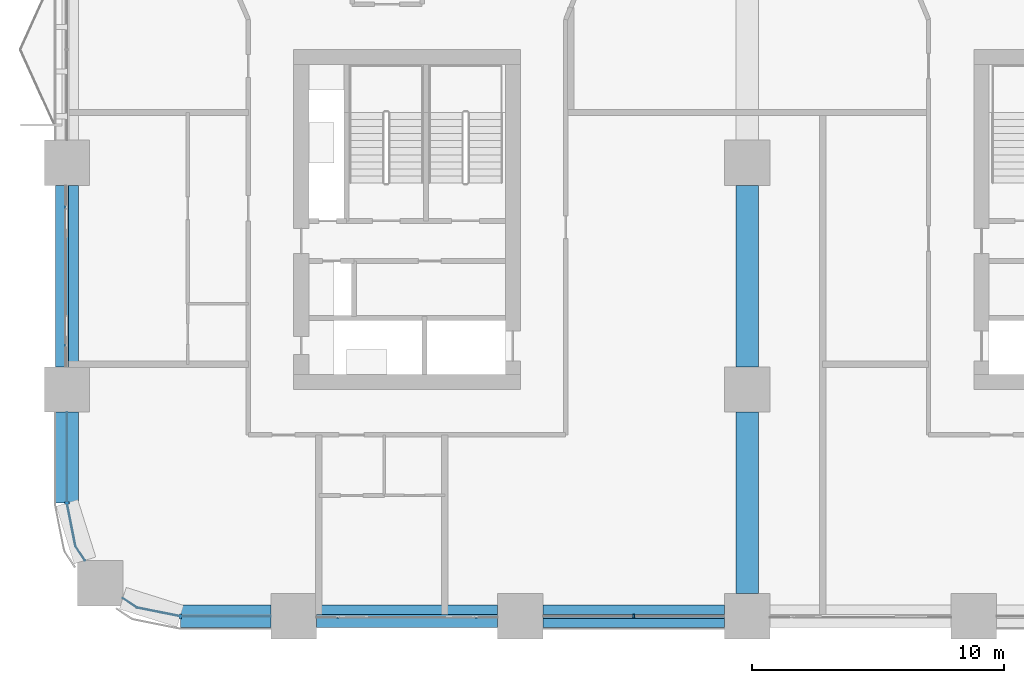
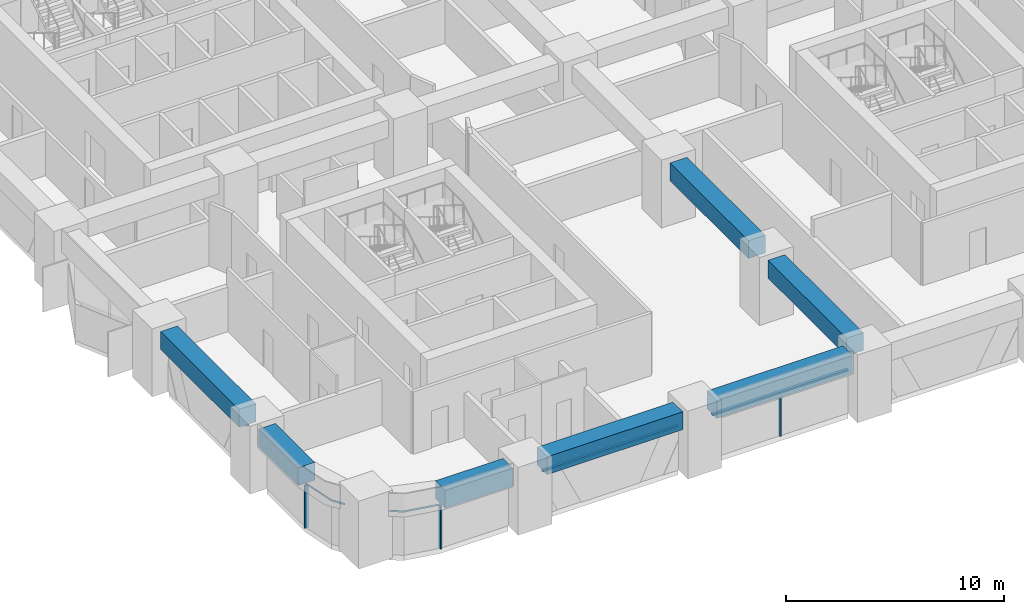
# One storey, part 2 of 21: 8 members, 7 beams, 5 elements without a shape of their own.
"""IFC4 building model written with IfcOpenShell, lengths in metres."""

from ifc_helpers import new_model, si_unit, direction, frame, origin, origin_2d, place, context, subcontext, project, spatial, polyline, rectangle, outline, extrude, material, material_profile, profile_set, type_object, element, aggregate, save


model = new_model("IFC4")

# Units and contexts
model_context = context("Model", 3, precision=1e-05, world=origin(), true_north=direction((0.0, 1.0)))
body_context = subcontext(model_context, "Body", "Model", "MODEL_VIEW")
ifc_project = project(units=[si_unit("LENGTHUNIT", "METRE"), si_unit("AREAUNIT", "SQUARE_METRE"), si_unit("VOLUMEUNIT", "CUBIC_METRE"), si_unit("PLANEANGLEUNIT", "RADIAN"), si_unit("MASSUNIT", "GRAM", prefix="KILO")], contexts=[model_context])

# Site, building, storey
site_placement = place(None, origin())
site = spatial("IfcSite", under=ifc_project, at=site_placement, CompositionType="ELEMENT")
building_placement = place(site_placement, origin())
building = spatial("IfcBuilding", under=site, at=building_placement, Name="Tessera Arch", CompositionType="ELEMENT")
storey_placement = place(building_placement, frame((0.0, 0.0, 42.39990234375)))
storey = spatial("IfcBuildingStorey", under=building, at=storey_placement, Name="L08", CompositionType="ELEMENT", Elevation=42.39990234375)

# Curtain wall, members
ifc_material_1 = material(Name="CW1 curtain wall")
curtain_wall_type_1 = type_object("IfcCurtainWallType", Name="CW1 curtain wall", PredefinedType="NOTDEFINED", material=ifc_material_1)
curtain_wall_1_placement = place(storey_placement, origin())
curtain_wall_1 = element("IfcCurtainWall", 1, at=curtain_wall_1_placement, inside=storey, type_object=curtain_wall_type_1, Name="CW1 curtain wall S0.0/1 L08", PredefinedType="NOTDEFINED")
ifc_material_2 = material(Name="Anodised aluminium pale metal", Category="aluminium")
ifc_material_profile_1 = material_profile(ifc_material_2, rectangle(XDim=0.159912109375, YDim=0.06005859375, at=origin_2d()), Name="AL 60x160")
ifc_profile_set_1 = profile_set([ifc_material_profile_1], Name="Anodised aluminium pale metal")
member_type_1 = type_object("IfcMemberType", Name="CW1 mullion", PredefinedType="MULLION", material=ifc_profile_set_1)
member_1_placement = place(storey_placement, frame((22.5, 0.0, 0.0), z_axis=(0.0, 0.0, 1.0), x_axis=(0.0, 1.0, 0.0)))
member_1 = element("IfcMember", 2, at=member_1_placement, type_object=member_type_1, Name="CW1 mullion S0.0/1 1", PredefinedType="MULLION", context=body_context, shape_type="SweptSolid", body=[
    extrude(rectangle(XDim=0.159912109375, YDim=0.06005859375, at=origin_2d()), origin(), (0.0, 0.0, 1.0), 2.400146484375),
])
ifc_material_3 = material(Name="Anodised aluminium pale metal", Category="aluminium")
ifc_material_profile_2 = material_profile(ifc_material_3, rectangle(XDim=0.159912109375, YDim=0.10009765625, at=origin_2d()), Name="AL 160x100")
ifc_profile_set_2 = profile_set([ifc_material_profile_2], Name="Anodised aluminium pale metal")
member_type_2 = type_object("IfcMemberType", Name="CW1 transom", PredefinedType="USERDEFINED", material=ifc_profile_set_2)
member_2_placement = place(storey_placement, frame((18.89990234375, 0.0, 2.4501953125), z_axis=(1.0, 0.0, 0.0), x_axis=(0.0, 1.0, 0.0)))
member_2 = element("IfcMember", 3, at=member_2_placement, type_object=member_type_2, Name="CW1 transom S0.0/1 1.1", ObjectType="TRANSOM", PredefinedType="USERDEFINED", context=body_context, shape_type="SweptSolid", body=[
    extrude(rectangle(XDim=0.159912109375, YDim=0.10009765625, at=origin_2d()), origin(), (0.0, 0.0, 1.0), 7.2001953125),
])
aggregate(curtain_wall_1, [member_1, member_2])

# Curtain wall, member
ifc_material_4 = material(Name="CW2 curtain wall")
curtain_wall_type_2 = type_object("IfcCurtainWallType", Name="CW2 curtain wall", PredefinedType="NOTDEFINED", material=ifc_material_4)
curtain_wall_2_placement = place(storey_placement, origin())
curtain_wall_2 = element("IfcCurtainWall", 4, at=curtain_wall_2_placement, inside=storey, type_object=curtain_wall_type_2, Name="CW2 curtain wall W0.0/5 L08", PredefinedType="NOTDEFINED")
ifc_material_5 = material(Name="Anodised aluminium pale metal", Category="aluminium")
ifc_material_profile_3 = material_profile(ifc_material_5, rectangle(XDim=0.199951171875, YDim=0.080078125, at=origin_2d()), Name="AL 80x200")
ifc_profile_set_3 = profile_set([ifc_material_profile_3], Name="Anodised aluminium pale metal")
member_type_3 = type_object("IfcMemberType", Name="CW2 mullion", PredefinedType="MULLION", material=ifc_profile_set_3)
member_3_placement = place(storey_placement, frame((0.0, 4.5, 0.0), z_axis=(0.0, 0.0, 1.0), x_axis=(1.0, 0.0, 0.0)))
member_3 = element("IfcMember", 5, at=member_3_placement, type_object=member_type_3, Name="CW2 mullion W0.0/5 1", PredefinedType="MULLION", context=body_context, shape_type="SweptSolid", body=[
    extrude(rectangle(XDim=0.199951171875, YDim=0.080078125, at=origin_2d()), origin(), (0.0, 0.0, 1.0), 2.400146484375),
])

curtain_wall_3_placement = place(storey_placement, origin())
curtain_wall_3 = element("IfcCurtainWall", 6, at=curtain_wall_3_placement, inside=storey, type_object=curtain_wall_type_2, Name="CW2 curtain wall S0.0/5 L08", PredefinedType="NOTDEFINED")
member_4_placement = place(storey_placement, frame((4.5, 0.0, 0.0), z_axis=(0.0, 0.0, 1.0), x_axis=(0.0, 1.0, 0.0)))
member_4 = element("IfcMember", 7, at=member_4_placement, type_object=member_type_3, Name="CW2 mullion S0.0/5 1", PredefinedType="MULLION", context=body_context, shape_type="SweptSolid", body=[
    extrude(rectangle(XDim=0.199951171875, YDim=0.080078125, at=origin_2d()), origin(), (0.0, 0.0, 1.0), 2.400146484375),
])

# Member
ifc_material_6 = material(Name="Anodised aluminium pale metal", Category="aluminium")
ifc_material_profile_4 = material_profile(ifc_material_6, rectangle(XDim=0.199951171875, YDim=0.10009765625, at=origin_2d()), Name="AL 200x100")
ifc_profile_set_4 = profile_set([ifc_material_profile_4], Name="Anodised aluminium pale metal")
member_type_4 = type_object("IfcMemberType", Name="CW2 transom", PredefinedType="USERDEFINED", material=ifc_profile_set_4)
member_5_placement = place(storey_placement, frame((0.0, 0.0, 2.400146484375)))
member_5 = element("IfcMember", 8, at=member_5_placement, type_object=member_type_4, Name="CW2 transom W0.0/5 1", ObjectType="TRANSOM", PredefinedType="USERDEFINED", context=body_context, shape_type="SweptSolid", body=[
    extrude(outline(polyline([(0.010009765625, 4.5009765625), (0.010009765625, 8.10009765625), (-0.010009765625, 8.10009765625), (-0.010009765625, 4.4990234375), (0.3330078125, 2.77392578125), (0.70849609375, 2.21240234375), (0.72509765625, 2.2236328125), (0.351806640625, 2.78173828125), (0.010009765625, 4.5009765625)])), origin(), (0.0, 0.0, 1.0), 0.099853515625),
])

aggregate(curtain_wall_2, [member_3, member_5])

member_6_placement = place(storey_placement, frame((0.0, 0.0, 2.400146484375)))
member_6 = element("IfcMember", 9, at=member_6_placement, type_object=member_type_4, Name="CW2 transom S0.0/5 1", ObjectType="TRANSOM", PredefinedType="USERDEFINED", context=body_context, shape_type="SweptSolid", body=[
    extrude(outline(polyline([(2.78173828125, 0.351806640625), (2.2236328125, 0.72509765625), (2.21240234375, 0.70849609375), (2.77392578125, 0.3330078125), (4.4990234375, -0.010009765625), (8.10009765625, -0.010009765625), (8.10009765625, 0.010009765625), (4.5009765625, 0.010009765625), (2.78173828125, 0.351806640625)])), origin(), (0.0, 0.0, 1.0), 0.099853515625),
])

aggregate(curtain_wall_3, [member_4, member_6])

# Curtain wall, member
ifc_material_7 = material(Name="CW3 curtain wall")
curtain_wall_type_3 = type_object("IfcCurtainWallType", Name="CW3 curtain wall", PredefinedType="NOTDEFINED", material=ifc_material_7)
curtain_wall_4_placement = place(storey_placement, origin())
curtain_wall_4 = element("IfcCurtainWall", 10, at=curtain_wall_4_placement, inside=storey, type_object=curtain_wall_type_3, Name="CW3 curtain wall S0.0/0 L08", PredefinedType="NOTDEFINED")
ifc_material_8 = material(Name="Anodised aluminium pale metal", Category="aluminium")
ifc_material_profile_5 = material_profile(ifc_material_8, rectangle(XDim=0.139892578125, YDim=0.10009765625, at=origin_2d()), Name="AL 140x100")
ifc_profile_set_5 = profile_set([ifc_material_profile_5], Name="Anodised aluminium pale metal")
member_type_5 = type_object("IfcMemberType", Name="CW3 transom", PredefinedType="USERDEFINED", material=ifc_profile_set_5)
member_7_placement = place(storey_placement, frame((9.89990234375, 0.0, 2.4501953125), z_axis=(1.0, 0.0, 0.0), x_axis=(0.0, 1.0, 0.0)))
member_7 = element("IfcMember", 11, at=member_7_placement, type_object=member_type_5, Name="CW3 transom S0.0/0 1.1", ObjectType="TRANSOM", PredefinedType="USERDEFINED", context=body_context, shape_type="SweptSolid", body=[
    extrude(rectangle(XDim=0.139892578125, YDim=0.10009765625, at=origin_2d()), origin(), (0.0, 0.0, 1.0), 7.2001953125),
])
aggregate(curtain_wall_4, [member_7])

curtain_wall_5_placement = place(storey_placement, origin())
curtain_wall_5 = element("IfcCurtainWall", 12, at=curtain_wall_5_placement, inside=storey, type_object=curtain_wall_type_3, Name="CW3 curtain wall W0.0/4 L08", PredefinedType="NOTDEFINED")
member_8_placement = place(storey_placement, frame((0.0, 17.10009765625, 2.4501953125), z_axis=(0.0, -1.0, 0.0), x_axis=(1.0, 0.0, 0.0)))
member_8 = element("IfcMember", 13, at=member_8_placement, type_object=member_type_5, Name="CW3 transom W0.0/4 1.1", ObjectType="TRANSOM", PredefinedType="USERDEFINED", context=body_context, shape_type="SweptSolid", body=[
    extrude(rectangle(XDim=0.139892578125, YDim=0.10009765625, at=origin_2d()), origin(), (0.0, 0.0, 1.0), 7.2001953125),
])
aggregate(curtain_wall_5, [member_8])

# Beams
ifc_material_9 = material(Name="Concrete C80/95", Category="concrete")
ifc_material_profile_6 = material_profile(ifc_material_9, rectangle(XDim=0.89990234375, YDim=1.0, at=origin_2d()), Name="RC spandrel beam 900 x 1000 Concrete C80/95")
ifc_profile_set_6 = profile_set([ifc_material_profile_6], Name="Concrete C80/95")
beam_type = type_object("IfcBeamType", Name="RC spandrel beam 900 x 1000 Concrete C80/95", PredefinedType="BEAM", material=ifc_profile_set_6)
for number, where, z_axis, x_axis, name in (
    (14, (9.89990234375, 0.0, 3.0), (1.0, 0.0, 0.0), (0.0, 1.0, 0.0), "Spandrel beam L08 S0.0/0"),
    (15, (18.89990234375, 0.0, 3.0), (1.0, 0.0, 0.0), (0.0, 1.0, 0.0), "Spandrel beam L08 S0.0/1"),
    (16, (0.0, 17.10009765625, 3.0), (0.0, -1.0, 0.0), (1.0, 0.0, 0.0), "Spandrel beam L08 W0.0/4"),
):
    element("IfcBeam", number, at=place(storey_placement, frame(where, z_axis=z_axis, x_axis=x_axis)), inside=storey, type_object=beam_type, Name=name, PredefinedType="BEAM", context=body_context, shape_type="SweptSolid", body=[
        extrude(rectangle(XDim=0.89990234375, YDim=1.0, at=origin_2d()), origin(), (0.0, 0.0, 1.0), 7.2001953125),
    ])
for number, where, z_axis, x_axis, name in (
    (17, (0.0, 8.10009765625, 3.0), (0.0, -1.0, 0.0), (1.0, 0.0, 0.0), "Spandrel beam L08 W0.0/5.1"),
    (18, (4.5, 0.0, 3.0), (1.0, 0.0, 0.0), (0.0, 1.0, 0.0), "Spandrel beam L08 S0.0/5.2"),
):
    element("IfcBeam", number, at=place(storey_placement, frame(where, z_axis=z_axis, x_axis=x_axis)), inside=storey, type_object=beam_type, Name=name, PredefinedType="BEAM", context=body_context, shape_type="SweptSolid", body=[
        extrude(rectangle(XDim=0.89990234375, YDim=1.0, at=origin_2d()), origin(), (0.0, 0.0, 1.0), 3.60009765625),
    ])
for number, where, z_axis, x_axis, name in (
    (19, (27.0, 0.89990234375, 3.0), (0.0, 1.0, 0.0), (-1.0, 0.0, 0.0), "Interface beam L08 I0C4A-C4B"),
    (20, (27.0, 9.89990234375, 3.0), (0.0, 1.0, 0.0), (-1.0, 0.0, 0.0), "Interface beam L08 I0C4B-C4C"),
):
    element("IfcBeam", number, at=place(storey_placement, frame(where, z_axis=z_axis, x_axis=x_axis)), inside=storey, type_object=beam_type, Name=name, PredefinedType="BEAM", context=body_context, shape_type="SweptSolid", body=[
        extrude(rectangle(XDim=0.89990234375, YDim=1.0, at=origin_2d()), origin(), (0.0, 0.0, 1.0), 7.2001953125),
    ])

save(model, "model.ifc")
